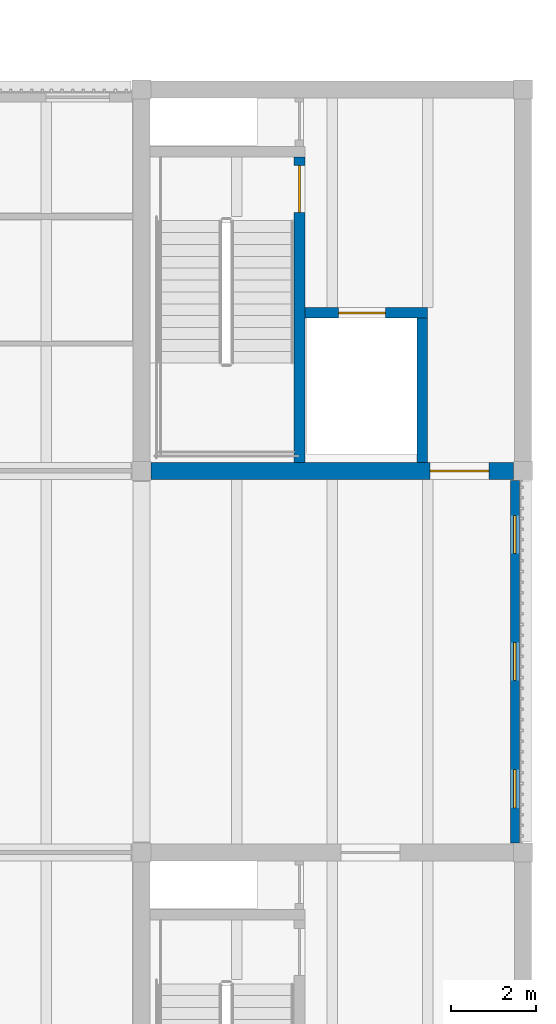
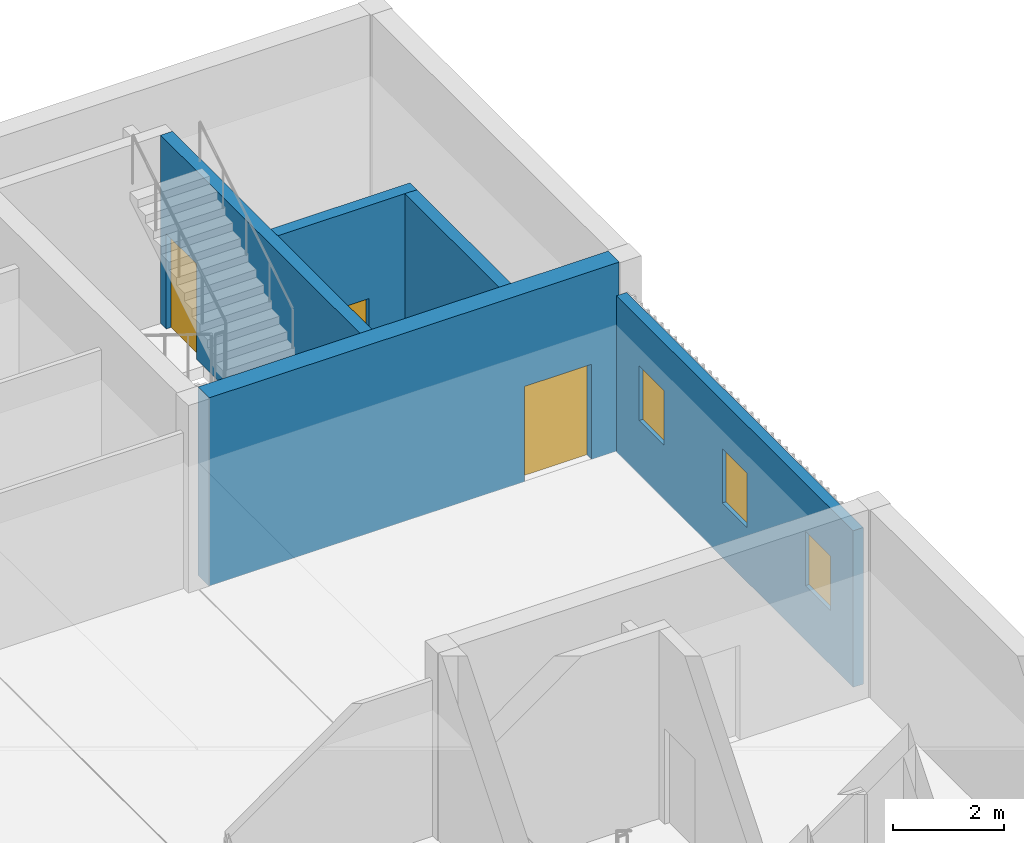
# One storey, part 56 of 88: 5 walls, 3 doors, 3 windows, 6 openings.
"""IFC4 building model written with IfcOpenShell, lengths in metres."""

from ifc_helpers import new_model, si_unit, direction, frame, frame_2d, origin, place, context, subcontext, project, spatial, rectangle, extrude, material, layer, layer_set, type_object, element, fill, save


model = new_model("IFC4")

# Units and contexts
model_context = context("Model", 3, precision=1e-05, world=origin(), true_north=direction((0.0, 1.0)))
body_context = subcontext(model_context, "Body", "Model", "MODEL_VIEW")
ifc_project = project(units=[si_unit("LENGTHUNIT", "METRE"), si_unit("AREAUNIT", "SQUARE_METRE"), si_unit("VOLUMEUNIT", "CUBIC_METRE"), si_unit("PLANEANGLEUNIT", "RADIAN"), si_unit("MASSUNIT", "GRAM", prefix="KILO")], contexts=[model_context])

# Site, building, storey
site_placement = place(None, origin())
site = spatial("IfcSite", under=ifc_project, at=site_placement, CompositionType="ELEMENT")
building_placement = place(site_placement, origin())
building = spatial("IfcBuilding", under=site, at=building_placement, Name="Merrow Basin Faculty of Sciences", CompositionType="ELEMENT")
storey_placement = place(building_placement, frame((0.0, 0.0, 9.0)))
storey = spatial("IfcBuildingStorey", under=building, at=storey_placement, Name="L02", CompositionType="ELEMENT", Elevation=9.0)

# Wall, openings, windows
ifc_material_1 = material(Name="Precast concrete C40/50", Category="concrete")
ifc_layer_1 = layer(ifc_material_1, 0.215087890625)
ifc_layer_set_1 = layer_set([ifc_layer_1], Name="External infill wall 215 Precast concrete C40/50")
wall_type_1 = type_object("IfcWallType", Name="External infill wall 215 Precast concrete C40/50", PredefinedType="STANDARD", material=ifc_layer_set_1)
wall_1_placement = place(storey_placement, frame((71.80810546875, 123.77490234375, 0.0), z_axis=(0.0, 0.0, 1.0), x_axis=(0.0, -1.0, 0.0)))
wall_1 = element("IfcWall", 1, at=wall_1_placement, inside=storey, type_object=wall_type_1, Name="E external wall 7", PredefinedType="STANDARD", context=body_context, shape_type="SweptSolid", body=[
    extrude(rectangle(XDim=8.5498046875, YDim=0.215087890625, at=frame_2d((4.27490234375, 0.0))), origin(), (0.0, 0.0, 1.0), 3.449951171875),
])
opening_1_placement = place(wall_1_placement, frame((6.824951171875, 0.0, 1.199951171875)))
opening_1 = element("IfcOpeningElement", 2, at=opening_1_placement, cuts=wall_1, Name="Opening WN18", PredefinedType="OPENING", context=body_context, shape_type="SweptSolid", body=[
    extrude(rectangle(XDim=0.89990234375, YDim=1.199951171875, at=frame_2d((0.449951171875, 0.60009765625))), frame((0.0, 0.117431640625, 0.0), z_axis=(0.0, -1.0, 0.0), x_axis=(1.0, 0.0, 0.0)), (0.0, 0.0, 1.0), 0.235107421875),
])
opening_2_placement = place(wall_1_placement, frame((3.824951171875, 0.0, 1.199951171875)))
opening_2 = element("IfcOpeningElement", 3, at=opening_2_placement, cuts=wall_1, Name="Opening WN18", PredefinedType="OPENING", context=body_context, shape_type="SweptSolid", body=[
    extrude(rectangle(XDim=0.89990234375, YDim=1.199951171875, at=frame_2d((0.449951171875, 0.60009765625))), frame((0.0, 0.117431640625, 0.0), z_axis=(0.0, -1.0, 0.0), x_axis=(1.0, 0.0, 0.0)), (0.0, 0.0, 1.0), 0.235107421875),
])
opening_3_placement = place(wall_1_placement, frame((0.824951171875, 0.0, 1.199951171875)))
opening_3 = element("IfcOpeningElement", 4, at=opening_3_placement, cuts=wall_1, Name="Opening WN18", PredefinedType="OPENING", context=body_context, shape_type="SweptSolid", body=[
    extrude(rectangle(XDim=0.89990234375, YDim=1.199951171875, at=frame_2d((0.449951171875, 0.60009765625))), frame((0.0, 0.117431640625, 0.0), z_axis=(0.0, -1.0, 0.0), x_axis=(1.0, 0.0, 0.0)), (0.0, 0.0, 1.0), 0.235107421875),
])
ifc_material_2 = material(Name="Low-E double glazing", Category="glass")
window_type = type_object("IfcWindowType", Name="Boundary window 900 x 1200", PartitioningType="SINGLE_PANEL", PredefinedType="WINDOW", material=ifc_material_2)
window_1_placement = place(opening_1_placement, origin())
window_1 = element("IfcWindow", 5, at=window_1_placement, inside=storey, type_object=window_type, Name="E window L02", OverallHeight=1.199951171875, OverallWidth=0.89990234375, PartitioningType="SINGLE_PANEL", PredefinedType="WINDOW", context=body_context, shape_type="SweptSolid", body=[
    extrude(rectangle(XDim=0.89990234375, YDim=1.199951171875, at=frame_2d((0.449951171875, 0.60009765625))), frame((0.0, 0.030029296875, 0.0), z_axis=(0.0, -1.0, 0.0), x_axis=(1.0, 0.0, 0.0)), (0.0, 0.0, 1.0), 0.06005859375),
])
fill(opening_1, window_1)
window_2_placement = place(opening_2_placement, origin())
window_2 = element("IfcWindow", 6, at=window_2_placement, inside=storey, type_object=window_type, Name="E window L02", OverallHeight=1.199951171875, OverallWidth=0.89990234375, PartitioningType="SINGLE_PANEL", PredefinedType="WINDOW", context=body_context, shape_type="SweptSolid", body=[
    extrude(rectangle(XDim=0.89990234375, YDim=1.199951171875, at=frame_2d((0.449951171875, 0.60009765625))), frame((0.0, 0.030029296875, 0.0), z_axis=(0.0, -1.0, 0.0), x_axis=(1.0, 0.0, 0.0)), (0.0, 0.0, 1.0), 0.06005859375),
])
fill(opening_2, window_2)
window_3_placement = place(opening_3_placement, origin())
window_3 = element("IfcWindow", 7, at=window_3_placement, inside=storey, type_object=window_type, Name="E window L02", OverallHeight=1.199951171875, OverallWidth=0.89990234375, PartitioningType="SINGLE_PANEL", PredefinedType="WINDOW", context=body_context, shape_type="SweptSolid", body=[
    extrude(rectangle(XDim=0.89990234375, YDim=1.199951171875, at=frame_2d((0.449951171875, 0.60009765625))), frame((0.0, 0.030029296875, 0.0), z_axis=(0.0, -1.0, 0.0), x_axis=(1.0, 0.0, 0.0)), (0.0, 0.0, 1.0), 0.06005859375),
])
fill(opening_3, window_3)

# Wall, opening, door
ifc_material_3 = material(Name="Concrete C40/50", Category="concrete")
ifc_layer_2 = layer(ifc_material_3, 0.25)
ifc_layer_set_2 = layer_set([ifc_layer_2], Name="Shear wall 250 Concrete C40/50")
wall_type_2 = type_object("IfcWallType", Name="Shear wall 250 Concrete C40/50", PredefinedType="SHEAR", material=ifc_layer_set_2)
wall_2_placement = place(storey_placement, frame((66.72509765625, 124.199951171875, 0.0), z_axis=(0.0, 0.0, 1.0), x_axis=(0.0, 1.0, 0.0)))
wall_2 = element("IfcWall", 8, at=wall_2_placement, inside=storey, type_object=wall_type_2, Name="SW2 L02 030", PredefinedType="SHEAR", context=body_context, shape_type="SweptSolid", body=[
    extrude(rectangle(XDim=7.199951171875, YDim=0.25, at=frame_2d((3.60009765625, 0.0))), origin(), (0.0, 0.0, 1.0), 4.14990234375),
])
opening_4_placement = place(wall_2_placement, frame((5.89990234375, 0.0, 0.0)))
opening_4 = element("IfcOpeningElement", 9, at=opening_4_placement, cuts=wall_2, Name="Opening D02C007", PredefinedType="OPENING", context=body_context, shape_type="SweptSolid", body=[
    extrude(rectangle(XDim=1.10009765625, YDim=2.10009765625, at=frame_2d((0.550048828125, 1.050048828125))), frame((0.0, 0.135009765625, 0.0), z_axis=(0.0, -1.0, 0.0), x_axis=(1.0, 0.0, 0.0)), (0.0, 0.0, 1.0), 0.27001953125),
])
ifc_material_4 = material(Name="Fire-rated steel door", Category="steel")
door_type_1 = type_object("IfcDoorType", Name="Fire door FD90 1100 x 2100", OperationType="NOTDEFINED", PredefinedType="DOOR", material=ifc_material_4)
door_1_placement = place(opening_4_placement, origin())
door_1 = element("IfcDoor", 10, at=door_1_placement, inside=storey, type_object=door_type_1, Name="Door D02C007", OperationType="SINGLE_SWING_RIGHT", OverallHeight=2.10009765625, OverallWidth=1.10009765625, PredefinedType="DOOR", context=body_context, shape_type="SweptSolid", body=[
    extrude(rectangle(XDim=1.10009765625, YDim=2.10009765625, at=frame_2d((0.550048828125, 1.050048828125))), frame((0.0, 0.02490234375, 0.0), z_axis=(0.0, -1.0, 0.0), x_axis=(1.0, 0.0, 0.0)), (0.0, 0.0, 1.0), 0.050048828125),
])
fill(opening_4, door_1)

wall_3_placement = place(storey_placement, frame((66.85009765625, 127.72509765625, 0.0), z_axis=(0.0, 0.0, 1.0), x_axis=(1.0, 0.0, 0.0)))
wall_3 = element("IfcWall", 11, at=wall_3_placement, inside=storey, type_object=wall_type_2, Name="SW2 L02 031", PredefinedType="SHEAR", context=body_context, shape_type="SweptSolid", body=[
    extrude(rectangle(XDim=2.89990234375, YDim=0.25, at=frame_2d((1.449951171875, 0.0))), origin(), (0.0, 0.0, 1.0), 4.14990234375),
])
opening_5_placement = place(wall_3_placement, frame((0.800048828125, 0.0, 0.0)))
opening_5 = element("IfcOpeningElement", 12, at=opening_5_placement, cuts=wall_3, Name="Opening LD02C04", PredefinedType="OPENING", context=body_context, shape_type="SweptSolid", body=[
    extrude(rectangle(XDim=1.10009765625, YDim=2.10009765625, at=frame_2d((0.550048828125, 1.050048828125))), frame((0.0, 0.135009765625, 0.0), z_axis=(0.0, -1.0, 0.0), x_axis=(1.0, 0.0, 0.0)), (0.0, 0.0, 1.0), 0.27001953125),
])
ifc_material_5 = material(Name="Stainless steel sliding door", Category="steel")
door_type_2 = type_object("IfcDoorType", Name="Lift landing door 1100 x 2100 sliding", OperationType="NOTDEFINED", PredefinedType="DOOR", material=ifc_material_5)
door_2_placement = place(opening_5_placement, origin())
door_2 = element("IfcDoor", 13, at=door_2_placement, inside=storey, type_object=door_type_2, Name="Landing door LF8 L02", OperationType="SLIDING_TO_LEFT", OverallHeight=2.10009765625, OverallWidth=1.10009765625, PredefinedType="DOOR", context=body_context, shape_type="SweptSolid", body=[
    extrude(rectangle(XDim=1.10009765625, YDim=2.10009765625, at=frame_2d((0.550048828125, 1.050048828125))), frame((0.0, 0.02490234375, 0.0), z_axis=(0.0, -1.0, 0.0), x_axis=(1.0, 0.0, 0.0)), (0.0, 0.0, 1.0), 0.050048828125),
])
fill(opening_5, door_2)

# Wall
wall_4_placement = place(storey_placement, frame((69.625, 124.199951171875, 0.0), z_axis=(0.0, 0.0, 1.0), x_axis=(0.0, 1.0, 0.0)))
element("IfcWall", 14, at=wall_4_placement, inside=storey, type_object=wall_type_2, Name="SW2 L02 032", PredefinedType="SHEAR", context=body_context, shape_type="SweptSolid", body=[
    extrude(rectangle(XDim=3.400146484375, YDim=0.25, at=frame_2d((1.7001953125, 0.0))), origin(), (0.0, 0.0, 1.0), 4.14990234375),
])

# Wall, opening, door
ifc_material_6 = material(Name="Concrete C40/50", Category="concrete")
ifc_layer_3 = layer(ifc_material_6, 0.39990234375)
ifc_layer_set_3 = layer_set([ifc_layer_3], Name="Shear wall 400 Concrete C40/50")
wall_type_3 = type_object("IfcWallType", Name="Shear wall 400 Concrete C40/50", PredefinedType="SHEAR", material=ifc_layer_set_3)
wall_5_placement = place(storey_placement, frame((63.22509765625, 124.0, 0.0), z_axis=(0.0, 0.0, 1.0), x_axis=(1.0, 0.0, 0.0)))
wall_5 = element("IfcWall", 15, at=wall_5_placement, inside=storey, type_object=wall_type_3, Name="SW1 L02 025", PredefinedType="SHEAR", context=body_context, shape_type="SweptSolid", body=[
    extrude(rectangle(XDim=8.5498046875, YDim=0.39990234375, at=frame_2d((4.27490234375, 0.0))), origin(), (0.0, 0.0, 1.0), 4.14990234375),
])
opening_6_placement = place(wall_5_placement, frame((6.574951171875, 0.0, 0.0)))
opening_6 = element("IfcOpeningElement", 16, at=opening_6_placement, cuts=wall_5, Name="Opening D02C008", PredefinedType="OPENING", context=body_context, shape_type="SweptSolid", body=[
    extrude(rectangle(XDim=1.39990234375, YDim=2.10009765625, at=frame_2d((0.699951171875, 1.050048828125))), frame((0.0, 0.2099609375, 0.0), z_axis=(0.0, -1.0, 0.0), x_axis=(1.0, 0.0, 0.0)), (0.0, 0.0, 1.0), 0.419921875),
])
ifc_material_7 = material(Name="Fire-rated steel door", Category="steel")
door_type_3 = type_object("IfcDoorType", Name="Fire door FD60 1400 x 2100", OperationType="NOTDEFINED", PredefinedType="DOOR", material=ifc_material_7)
door_3_placement = place(opening_6_placement, origin())
door_3 = element("IfcDoor", 17, at=door_3_placement, inside=storey, type_object=door_type_3, Name="Door D02C008", OperationType="SINGLE_SWING_RIGHT", OverallHeight=2.10009765625, OverallWidth=1.39990234375, PredefinedType="DOOR", context=body_context, shape_type="SweptSolid", body=[
    extrude(rectangle(XDim=1.39990234375, YDim=2.10009765625, at=frame_2d((0.699951171875, 1.050048828125))), frame((0.0, 0.02490234375, 0.0), z_axis=(0.0, -1.0, 0.0), x_axis=(1.0, 0.0, 0.0)), (0.0, 0.0, 1.0), 0.050048828125),
])
fill(opening_6, door_3)

save(model, "model.ifc")
